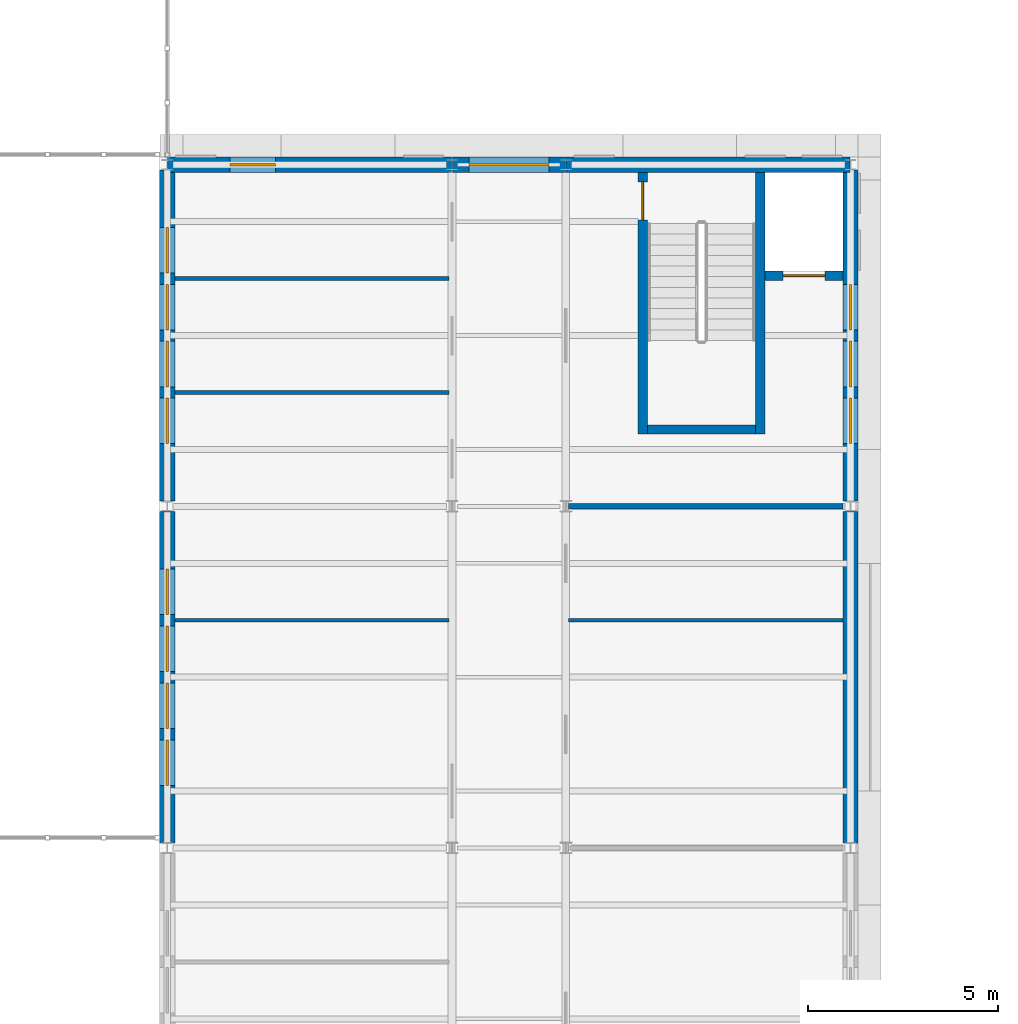
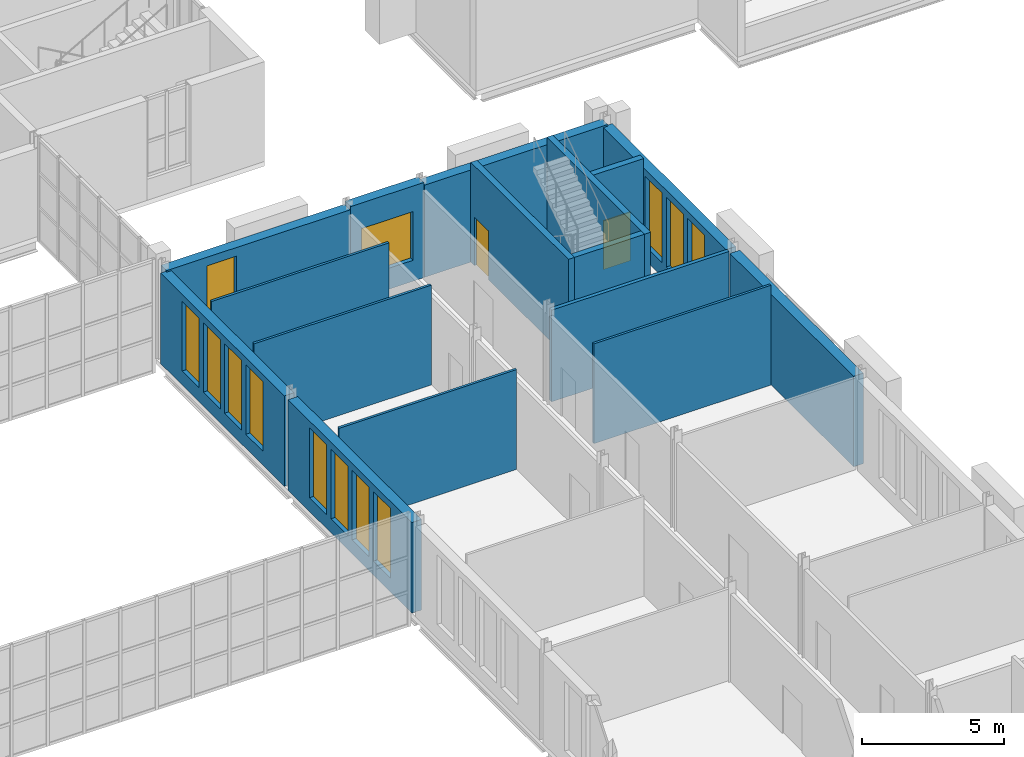
# One storey, part 78 of 134: 16 walls, 13 windows, 2 doors, 15 openings.
"""IFC4 building model written with IfcOpenShell, lengths in metres."""

import ifcopenshell
import ifcopenshell.guid

model = None  # the IFC model being written
_history = None  # IfcOwnerHistory: only IFC2X3 demands one
_inside = {}  # id of a spatial element -> (the spatial element, [elements in it])
_under = {}  # id of a project, library or spatial element -> (it, [spatial elements below it])
_declared = {}  # id of a project -> (the project, [libraries it declares])
_typed = {}  # id of a type object -> (the type object, [elements of that type])
_made_of = {}  # id of a material, layer set ... -> (it, [elements and type objects made of it])


def new_model(schema):
    """Start an empty IFC model of exactly this schema.

    Asked for "IFC4X3", IfcOpenShell would pick the latest addendum, in which some entities
    have other attributes; the version numbers below select the first issue.
    IFC2X3 requires an IfcOwnerHistory on every rooted entity: one is made here for all.
    """
    global model, _history
    if schema == "IFC4X3":
        model = ifcopenshell.file(schema_version=(4, 3, 0, 0))
    else:
        model = ifcopenshell.file(schema=schema)
    _inside.clear()
    _under.clear()
    _declared.clear()
    _typed.clear()
    _made_of.clear()
    _history = None
    if model.schema == "IFC2X3":
        org = make("IfcOrganization", Name="unknown")
        user = make(
            "IfcPersonAndOrganization",
            ThePerson=make("IfcPerson", FamilyName="unknown"),
            TheOrganization=org,
        )
        app = make(
            "IfcApplication",
            ApplicationDeveloper=org,
            Version="unknown",
            ApplicationFullName="unknown",
            ApplicationIdentifier="unknown",
        )
        _history = make(
            "IfcOwnerHistory",
            OwningUser=user,
            OwningApplication=app,
            ChangeAction="ADDED",
            CreationDate=0,
        )
    return model


def make(cls, **values):
    """One entity of the class cls with the attributes given. An attribute that is None is left unset."""
    return model.create_entity(
        cls, **{name: value for name, value in values.items() if value is not None}
    )


def rooted(cls, **values):
    """An entity with a GlobalId (a new one), such as an element, a storey or a relation."""
    return make(cls, GlobalId=ifcopenshell.guid.new(), OwnerHistory=_history, **values)


def si_unit(unit_type, name, prefix=None):
    """IfcSIUnit, for example si_unit("LENGTHUNIT", "METRE", prefix="MILLI")."""
    return make("IfcSIUnit", UnitType=unit_type, Prefix=prefix, Name=name)


def assignment(units):
    """IfcUnitAssignment: the units of a project."""
    return None if units is None else make("IfcUnitAssignment", Units=units)


def point(xyz):
    """IfcCartesianPoint."""
    return None if xyz is None else make("IfcCartesianPoint", Coordinates=xyz)


def direction(xyz):
    """IfcDirection."""
    return None if xyz is None else make("IfcDirection", DirectionRatios=xyz)


def frame(location, z_axis=None, x_axis=None):
    """IfcAxis2Placement3D, a coordinate frame: its origin and axes. An axis left out is left unset."""
    return make(
        "IfcAxis2Placement3D",
        Location=point(location),
        Axis=direction(z_axis),
        RefDirection=direction(x_axis),
    )


def frame_2d(location, x_axis=None):
    """IfcAxis2Placement2D, a coordinate frame in the plane: its origin and x axis."""
    return make(
        "IfcAxis2Placement2D", Location=point(location), RefDirection=direction(x_axis)
    )


def origin():
    """The frame at (0, 0, 0) with its axes left unset."""
    return frame((0.0, 0.0, 0.0))


def place(relative_to, where):
    """IfcLocalPlacement: puts the frame where relative to a parent placement (None: the world)."""
    return make(
        "IfcLocalPlacement", PlacementRelTo=relative_to, RelativePlacement=where
    )


def context(
    kind, dimensions, precision=None, world=None, true_north=None, identifier=None
):
    """IfcGeometricRepresentationContext, for example the 3D "Model" context."""
    return make(
        "IfcGeometricRepresentationContext",
        ContextIdentifier=identifier,
        ContextType=kind,
        CoordinateSpaceDimension=dimensions,
        Precision=precision,
        WorldCoordinateSystem=world,
        TrueNorth=true_north,
    )


def subcontext(parent, identifier, kind, view, scale=None):
    """IfcGeometricRepresentationSubContext, for example "Body" below "Model"."""
    return make(
        "IfcGeometricRepresentationSubContext",
        ContextIdentifier=identifier,
        ContextType=kind,
        ParentContext=parent,
        TargetScale=scale,
        TargetView=view,
    )


def project(units=None, contexts=None):
    """IfcProject with its units and contexts."""
    return rooted(
        "IfcProject",
        Name="project",
        RepresentationContexts=contexts,
        UnitsInContext=assignment(units),
    )


def spatial(cls, under=None, at=None, **own):
    """A site, building, storey or space (cls), placed at a placement, below another one or the project."""
    s = rooted(cls, ObjectPlacement=at, **own)
    if under is not None:
        _under.setdefault(under.id(), (under, []))[1].append(s)
    return s


def profile(cls, at=None, kind="AREA", **sizes):
    """A parametric profile (cls). Its sizes go by their IFC names, for example OverallWidth=200.0."""
    return make(cls, ProfileType=kind, Position=at, **sizes)


def rectangle(**sizes):
    """IfcRectangleProfileDef."""
    return profile("IfcRectangleProfileDef", **sizes)


def extrude(swept, where, along, depth):
    """IfcExtrudedAreaSolid: the profile swept, set in the frame where, extruded along a direction by depth."""
    return make(
        "IfcExtrudedAreaSolid",
        SweptArea=swept,
        Position=where,
        ExtrudedDirection=direction(along),
        Depth=depth,
    )


def shape(context_of_items, identifier, shape_type, items):
    """IfcShapeRepresentation: the items that make up one representation, for example the "Body"."""
    return make(
        "IfcShapeRepresentation",
        ContextOfItems=context_of_items,
        RepresentationIdentifier=identifier,
        RepresentationType=shape_type,
        Items=items,
    )


def material(Name=None, Category=None):
    """IfcMaterial."""
    return make("IfcMaterial", Name=Name, Category=Category)


def layer(
    of_material, thickness, ventilated=None, Name=None, Category=None, Priority=None
):
    """IfcMaterialLayer: one layer of a wall or slab, of a material (None: an air gap)."""
    return make(
        "IfcMaterialLayer",
        Material=of_material,
        LayerThickness=thickness,
        IsVentilated=ventilated,
        Name=Name,
        Category=Category,
        Priority=Priority,
    )


def layer_set(layers, Name=None):
    """IfcMaterialLayerSet."""
    return make("IfcMaterialLayerSet", MaterialLayers=layers, LayerSetName=Name)


def made_of(thing, what):
    """Note that an element or type object is made of a material, layer set ...; save() writes the relation."""
    if what is not None:
        _made_of.setdefault(what.id(), (what, []))[1].append(thing)
    return thing


def type_object(cls, material=None, **own):
    """A type object (cls), such as IfcWallType, which elements share."""
    return made_of(rooted(cls, **own), material)


def element(
    cls,
    number,
    at=None,
    inside=None,
    cuts=None,
    type_object=None,
    material=None,
    context=None,
    identifier="Body",
    shape_type=None,
    held_by="IfcProductDefinitionShape",
    body=None,
    shapes=None,
    **own,
):
    """One element of the class cls, such as IfcWall. Its Tag is "e" and its number.

    at: its placement. inside: the storey or other place that contains it. cuts: it is an
    opening in that element (IfcRelVoidsElement). A single representation is given by context,
    identifier, shape_type and body (its items); several are given by shapes. held_by: the class
    of the entity that holds the representations. save() writes the other relations.
    """
    e = rooted(cls, Tag="e%d" % number, ObjectPlacement=at, **own)
    if body is not None:
        shapes = [shape(context, identifier, shape_type, body)]
    if shapes is not None:
        e.Representation = make(held_by, Representations=shapes)
    if inside is not None:
        _inside.setdefault(inside.id(), (inside, []))[1].append(e)
    if cuts is not None:
        rooted(
            "IfcRelVoidsElement", RelatingBuildingElement=cuts, RelatedOpeningElement=e
        )
    if type_object is not None:
        _typed.setdefault(type_object.id(), (type_object, []))[1].append(e)
    return made_of(e, material)


def fill(opening, filler):
    """IfcRelFillsElement: the door or window that sits in an opening."""
    return rooted(
        "IfcRelFillsElement",
        RelatingOpeningElement=opening,
        RelatedBuildingElement=filler,
    )


def aggregate(whole, parts):
    """IfcRelAggregates: a whole, such as a stair, and the parts it consists of."""
    return rooted("IfcRelAggregates", RelatingObject=whole, RelatedObjects=parts)


def save(model, path):
    """Write the relations noted so far, then the file.

    IfcRelAggregates (storeys below a building ...), IfcRelContainedInSpatialStructure (elements
    in a storey), IfcRelDefinesByType, IfcRelAssociatesMaterial and IfcRelDeclares: one each for
    every whole, place, type object, material and project.
    """
    for whole, parts in _under.values():
        aggregate(whole, parts)
    for where, things in _inside.values():
        rooted(
            "IfcRelContainedInSpatialStructure",
            RelatedElements=things,
            RelatingStructure=where,
        )
    for kind, things in _typed.values():
        rooted("IfcRelDefinesByType", RelatedObjects=things, RelatingType=kind)
    for what, things in _made_of.values():
        rooted("IfcRelAssociatesMaterial", RelatedObjects=things, RelatingMaterial=what)
    for by, libraries in _declared.values():
        rooted("IfcRelDeclares", RelatingContext=by, RelatedDefinitions=libraries)
    model.write(path)


model = new_model("IFC4")

# Units and contexts
model_context = context("Model", 3, precision=1e-05, world=origin(), true_north=direction((0.0, 1.0)))
body_context = subcontext(model_context, "Body", "Model", "MODEL_VIEW")
ifc_project = project(units=[si_unit("LENGTHUNIT", "METRE"), si_unit("AREAUNIT", "SQUARE_METRE"), si_unit("VOLUMEUNIT", "CUBIC_METRE"), si_unit("PLANEANGLEUNIT", "RADIAN"), si_unit("MASSUNIT", "GRAM", prefix="KILO")], contexts=[model_context])

# Site, building, storey
site_placement = place(None, origin())
site = spatial("IfcSite", under=ifc_project, at=site_placement, CompositionType="ELEMENT")
building_placement = place(site_placement, origin())
building = spatial("IfcBuilding", under=site, at=building_placement, Name="Golden Quay Civic Hall", CompositionType="ELEMENT")
storey_placement = place(building_placement, frame((0.0, 0.0, 5.39990234375)))
storey = spatial("IfcBuildingStorey", under=building, at=storey_placement, Name="L01", CompositionType="ELEMENT", Elevation=5.39990234375)

# Wall
ifc_material_1 = material(Name="Concrete C40/50", Category="concrete")
ifc_layer_1 = layer(ifc_material_1, 0.25)
ifc_layer_set_1 = layer_set([ifc_layer_1], Name="Concrete core wall 250, Concrete C40/50")
wall_type_1 = type_object("IfcWallType", Name="Concrete core wall 250", PredefinedType="SHEAR", material=ifc_layer_set_1)
wall_1_placement = place(storey_placement, frame((114.625, 46.89990234375, 0.0), z_axis=(0.0, 0.0, 1.0), x_axis=(0.0, 1.0, 0.0)))
element("IfcWall", 1, at=wall_1_placement, inside=storey, type_object=wall_type_1, Name="Core wall EM-N-W1", PredefinedType="SHEAR", context=body_context, shape_type="SweptSolid", body=[
    extrude(rectangle(XDim=6.900146484375, YDim=0.25, at=frame_2d((3.4501953125, 0.0))), origin(), (0.0, 0.0, 1.0), 4.300048828125),
])

# Wall, opening, door
wall_2_placement = place(storey_placement, frame((111.52490234375, 46.89990234375, 0.0), z_axis=(0.0, 0.0, 1.0), x_axis=(0.0, 1.0, 0.0)))
wall_2 = element("IfcWall", 2, at=wall_2_placement, inside=storey, type_object=wall_type_1, Name="Core wall EM-N-W2", PredefinedType="SHEAR", context=body_context, shape_type="SweptSolid", body=[
    extrude(rectangle(XDim=6.900146484375, YDim=0.25, at=frame_2d((3.4501953125, 0.0))), origin(), (0.0, 0.0, 1.0), 4.300048828125),
])
opening_1_placement = place(wall_2_placement, frame((5.64990234375, 0.0, 0.0)))
opening_1 = element("IfcOpeningElement", 3, at=opening_1_placement, cuts=wall_2, Name="Opening L01-D127", PredefinedType="OPENING", context=body_context, shape_type="SweptSolid", body=[
    extrude(rectangle(XDim=1.0, YDim=2.10009765625, at=frame_2d((0.5, 1.050048828125))), frame((0.0, 0.135009765625, 0.0), z_axis=(0.0, -1.0, 0.0), x_axis=(1.0, 0.0, 0.0)), (0.0, 0.0, 1.0), 0.27001953125),
])
ifc_material_2 = material(Name="Steel", Category="steel")
door_type_1 = type_object("IfcDoorType", Name="Steel fire door FD60 1000 x 2100", OperationType="SINGLE_SWING_LEFT", PredefinedType="DOOR", material=ifc_material_2)
door_1_placement = place(opening_1_placement, frame((1.0, 0.0, 0.0), z_axis=(0.0, 0.0, 1.0), x_axis=(-1.0, 0.0, 0.0)))
door_1 = element("IfcDoor", 4, at=door_1_placement, inside=storey, type_object=door_type_1, Name="Door L01-D127", OperationType="SINGLE_SWING_RIGHT", OverallHeight=2.10009765625, OverallWidth=1.0, PredefinedType="DOOR", context=body_context, shape_type="SweptSolid", body=[
    extrude(rectangle(XDim=1.0, YDim=2.10009765625, at=frame_2d((0.5, 1.050048828125))), frame((0.0, 0.025146484375, 0.0), z_axis=(0.0, -1.0, 0.0), x_axis=(1.0, 0.0, 0.0)), (0.0, 0.0, 1.0), 0.050048828125),
])
fill(opening_1, door_1)

# Wall
wall_3_placement = place(storey_placement, frame((111.64990234375, 47.02490234375, 0.0), z_axis=(0.0, 0.0, 1.0), x_axis=(1.0, 0.0, 0.0)))
element("IfcWall", 5, at=wall_3_placement, inside=storey, type_object=wall_type_1, Name="Core wall EM-N-W3", PredefinedType="SHEAR", context=body_context, shape_type="SweptSolid", body=[
    extrude(rectangle(XDim=2.85009765625, YDim=0.25, at=frame_2d((1.425048828125, 0.0))), origin(), (0.0, 0.0, 1.0), 4.300048828125),
])

# Wall, opening, door
wall_4_placement = place(storey_placement, frame((114.75, 51.074951171875, 0.0), z_axis=(0.0, 0.0, 1.0), x_axis=(1.0, 0.0, 0.0)))
wall_4 = element("IfcWall", 6, at=wall_4_placement, inside=storey, type_object=wall_type_1, Name="Core wall EM-N-W4", PredefinedType="SHEAR", context=body_context, shape_type="SweptSolid", body=[
    extrude(rectangle(XDim=2.050048828125, YDim=0.25, at=frame_2d((1.02490234375, 0.0))), origin(), (0.0, 0.0, 1.0), 4.300048828125),
])
opening_2_placement = place(wall_4_placement, frame((0.47509765625, 0.0, 0.0)))
opening_2 = element("IfcOpeningElement", 7, at=opening_2_placement, cuts=wall_4, Name="Opening L01-D130", PredefinedType="OPENING", context=body_context, shape_type="SweptSolid", body=[
    extrude(rectangle(XDim=1.10009765625, YDim=2.10009765625, at=frame_2d((0.550048828125, 1.050048828125))), frame((0.0, 0.135009765625, 0.0), z_axis=(0.0, -1.0, 0.0), x_axis=(1.0, 0.0, 0.0)), (0.0, 0.0, 1.0), 0.27001953125),
])
ifc_material_3 = material(Name="Steel", Category="steel")
door_type_2 = type_object("IfcDoorType", Name="Lift landing door 1100 x 2100", OperationType="SLIDING_TO_LEFT", PredefinedType="DOOR", material=ifc_material_3)
door_2_placement = place(opening_2_placement, origin())
door_2 = element("IfcDoor", 8, at=door_2_placement, inside=storey, type_object=door_type_2, Name="Lift landing door L01-D130 EM-N", OperationType="SLIDING_TO_LEFT", OverallHeight=2.10009765625, OverallWidth=1.10009765625, PredefinedType="DOOR", context=body_context, shape_type="SweptSolid", body=[
    extrude(rectangle(XDim=1.10009765625, YDim=2.10009765625, at=frame_2d((0.550048828125, 1.050048828125))), frame((0.0, 0.02490234375, 0.0), z_axis=(0.0, -1.0, 0.0), x_axis=(1.0, 0.0, 0.0)), (0.0, 0.0, 1.0), 0.050048828125),
])
fill(opening_2, door_2)

# Walls
ifc_material_4 = material(Name="Plasterboard on steel studs", Category="steel")
ifc_layer_2 = layer(ifc_material_4, 0.10009765625)
ifc_layer_set_2 = layer_set([ifc_layer_2], Name="Partition 100 stud")
wall_type_2 = type_object("IfcWallType", Name="Partition 100 stud", PredefinedType="PARTITIONING", material=ifc_layer_set_2)
for number, where, z_axis, x_axis, name in (
    (9, (109.574951171875, 42.0, 0.0), (0.0, 0.0, 1.0), (1.0, 0.0, 0.0), "Partition L01-004"),
    (10, (99.199951171875, 42.0, 0.0), (0.0, 0.0, 1.0), (1.0, 0.0, 0.0), "Partition L01-010"),
    (11, (99.199951171875, 48.0, 0.0), (0.0, 0.0, 1.0), (1.0, 0.0, 0.0), "Partition L01-011"),
    (12, (99.199951171875, 51.0, 0.0), (0.0, 0.0, 1.0), (1.0, 0.0, 0.0), "Partition L01-012"),
):
    element("IfcWall", number, at=place(storey_placement, frame(where, z_axis=z_axis, x_axis=x_axis)), inside=storey, type_object=wall_type_2, Name=name, PredefinedType="PARTITIONING", context=body_context, shape_type="SweptSolid", body=[
        extrude(rectangle(XDim=7.22509765625, YDim=0.10009765625, at=frame_2d((3.612548828125, 0.0))), origin(), (0.0, 0.0, 1.0), 4.300048828125),
    ])
ifc_material_5 = material(Name="Plasterboard on steel studs", Category="steel")
ifc_layer_3 = layer(ifc_material_5, 0.14990234375)
ifc_layer_set_3 = layer_set([ifc_layer_3], Name="Partition 150 stud fire EI 60")
wall_type_3 = type_object("IfcWallType", Name="Partition 150 stud fire EI 60", PredefinedType="PARTITIONING", material=ifc_layer_set_3)
wall_5_placement = place(storey_placement, frame((109.574951171875, 45.0, 0.0), z_axis=(0.0, 0.0, 1.0), x_axis=(1.0, 0.0, 0.0)))
element("IfcWall", 13, at=wall_5_placement, inside=storey, type_object=wall_type_3, Name="Partition L01-005", PredefinedType="PARTITIONING", context=body_context, shape_type="SweptSolid", body=[
    extrude(rectangle(XDim=7.22509765625, YDim=0.14990234375, at=frame_2d((3.612548828125, 0.0))), origin(), (0.0, 0.0, 1.0), 3.9501953125),
])

# Wall, openings, windows
ifc_material_6 = material(Name="Clay block, rendered, cream")
ifc_layer_4 = layer(ifc_material_6, 0.39990234375)
ifc_layer_set_4 = layer_set([ifc_layer_4], Name="Rendered block external wall 400")
wall_type_4 = type_object("IfcWallType", Name="Rendered block external wall 400", PredefinedType="STANDARD", material=ifc_layer_set_4)
wall_6_placement = place(storey_placement, frame((99.0, 36.135009765625, 0.0), z_axis=(0.0, 0.0, 1.0), x_axis=(0.0, 1.0, 0.0)))
wall_6 = element("IfcWall", 14, at=wall_6_placement, inside=storey, type_object=wall_type_4, Name="Rendered block external wall 400 L01 39", PredefinedType="STANDARD", context=body_context, shape_type="SweptSolid", body=[
    extrude(rectangle(XDim=8.72998046875, YDim=0.39990234375, at=frame_2d((4.364990234375, 0.0))), origin(), (0.0, 0.0, 1.0), 3.900146484375),
])
opening_3_placement = place(wall_6_placement, frame((1.514892578125, 0.0, 0.60009765625)))
opening_3 = element("IfcOpeningElement", 15, at=opening_3_placement, cuts=wall_6, Name="Opening WN5", PredefinedType="OPENING", context=body_context, shape_type="SweptSolid", body=[
    extrude(rectangle(XDim=1.199951171875, YDim=3.0, at=frame_2d((0.60009765625, 1.5))), frame((0.0, 0.2099609375, 0.0), z_axis=(0.0, -1.0, 0.0), x_axis=(1.0, 0.0, 0.0)), (0.0, 0.0, 1.0), 0.419921875),
])
opening_4_placement = place(wall_6_placement, frame((3.014892578125, 0.0, 0.60009765625)))
opening_4 = element("IfcOpeningElement", 16, at=opening_4_placement, cuts=wall_6, Name="Opening WN5", PredefinedType="OPENING", context=body_context, shape_type="SweptSolid", body=[
    extrude(rectangle(XDim=1.199951171875, YDim=3.0, at=frame_2d((0.60009765625, 1.5))), frame((0.0, 0.2099609375, 0.0), z_axis=(0.0, -1.0, 0.0), x_axis=(1.0, 0.0, 0.0)), (0.0, 0.0, 1.0), 0.419921875),
])
opening_5_placement = place(wall_6_placement, frame((4.514892578125, 0.0, 0.60009765625)))
opening_5 = element("IfcOpeningElement", 17, at=opening_5_placement, cuts=wall_6, Name="Opening WN5", PredefinedType="OPENING", context=body_context, shape_type="SweptSolid", body=[
    extrude(rectangle(XDim=1.199951171875, YDim=3.0, at=frame_2d((0.60009765625, 1.5))), frame((0.0, 0.2099609375, 0.0), z_axis=(0.0, -1.0, 0.0), x_axis=(1.0, 0.0, 0.0)), (0.0, 0.0, 1.0), 0.419921875),
])
opening_6_placement = place(wall_6_placement, frame((6.014892578125, 0.0, 0.60009765625)))
opening_6 = element("IfcOpeningElement", 18, at=opening_6_placement, cuts=wall_6, Name="Opening WN5", PredefinedType="OPENING", context=body_context, shape_type="SweptSolid", body=[
    extrude(rectangle(XDim=1.199951171875, YDim=3.0, at=frame_2d((0.60009765625, 1.5))), frame((0.0, 0.2099609375, 0.0), z_axis=(0.0, -1.0, 0.0), x_axis=(1.0, 0.0, 0.0)), (0.0, 0.0, 1.0), 0.419921875),
])
ifc_material_7 = material(Name="Aluminium frame, double glazed", Category="aluminium")
window_type_1 = type_object("IfcWindowType", Name="Golden grid window 1200 x 3000", PartitioningType="SINGLE_PANEL", PredefinedType="WINDOW", material=ifc_material_7)
window_1_placement = place(opening_3_placement, origin())
window_1 = element("IfcWindow", 19, at=window_1_placement, inside=storey, type_object=window_type_1, Name="Golden grid window 1200 x 3000 L01 86", OverallHeight=3.0, OverallWidth=1.199951171875, PartitioningType="SINGLE_PANEL", PredefinedType="WINDOW", context=body_context, shape_type="SweptSolid", body=[
    extrude(rectangle(XDim=1.199951171875, YDim=3.0, at=frame_2d((0.60009765625, 1.5))), frame((0.0, 0.030029296875, 0.0), z_axis=(0.0, -1.0, 0.0), x_axis=(1.0, 0.0, 0.0)), (0.0, 0.0, 1.0), 0.06005859375),
])
fill(opening_3, window_1)
window_2_placement = place(opening_4_placement, origin())
window_2 = element("IfcWindow", 20, at=window_2_placement, inside=storey, type_object=window_type_1, Name="Golden grid window 1200 x 3000 L01 87", OverallHeight=3.0, OverallWidth=1.199951171875, PartitioningType="SINGLE_PANEL", PredefinedType="WINDOW", context=body_context, shape_type="SweptSolid", body=[
    extrude(rectangle(XDim=1.199951171875, YDim=3.0, at=frame_2d((0.60009765625, 1.5))), frame((0.0, 0.030029296875, 0.0), z_axis=(0.0, -1.0, 0.0), x_axis=(1.0, 0.0, 0.0)), (0.0, 0.0, 1.0), 0.06005859375),
])
fill(opening_4, window_2)
window_3_placement = place(opening_5_placement, origin())
window_3 = element("IfcWindow", 21, at=window_3_placement, inside=storey, type_object=window_type_1, Name="Golden grid window 1200 x 3000 L01 88", OverallHeight=3.0, OverallWidth=1.199951171875, PartitioningType="SINGLE_PANEL", PredefinedType="WINDOW", context=body_context, shape_type="SweptSolid", body=[
    extrude(rectangle(XDim=1.199951171875, YDim=3.0, at=frame_2d((0.60009765625, 1.5))), frame((0.0, 0.030029296875, 0.0), z_axis=(0.0, -1.0, 0.0), x_axis=(1.0, 0.0, 0.0)), (0.0, 0.0, 1.0), 0.06005859375),
])
fill(opening_5, window_3)
window_4_placement = place(opening_6_placement, origin())
window_4 = element("IfcWindow", 22, at=window_4_placement, inside=storey, type_object=window_type_1, Name="Golden grid window 1200 x 3000 L01 89", OverallHeight=3.0, OverallWidth=1.199951171875, PartitioningType="SINGLE_PANEL", PredefinedType="WINDOW", context=body_context, shape_type="SweptSolid", body=[
    extrude(rectangle(XDim=1.199951171875, YDim=3.0, at=frame_2d((0.60009765625, 1.5))), frame((0.0, 0.030029296875, 0.0), z_axis=(0.0, -1.0, 0.0), x_axis=(1.0, 0.0, 0.0)), (0.0, 0.0, 1.0), 0.06005859375),
])
fill(opening_6, window_4)

wall_7_placement = place(storey_placement, frame((99.0, 45.135009765625, 0.0), z_axis=(0.0, 0.0, 1.0), x_axis=(0.0, 1.0, 0.0)))
wall_7 = element("IfcWall", 23, at=wall_7_placement, inside=storey, type_object=wall_type_4, Name="Rendered block external wall 400 L01 40", PredefinedType="STANDARD", context=body_context, shape_type="SweptSolid", body=[
    extrude(rectangle(XDim=8.72998046875, YDim=0.39990234375, at=frame_2d((4.364990234375, 0.0))), origin(), (0.0, 0.0, 1.0), 3.900146484375),
])
opening_7_placement = place(wall_7_placement, frame((1.514892578125, 0.0, 0.60009765625)))
opening_7 = element("IfcOpeningElement", 24, at=opening_7_placement, cuts=wall_7, Name="Opening WN5", PredefinedType="OPENING", context=body_context, shape_type="SweptSolid", body=[
    extrude(rectangle(XDim=1.199951171875, YDim=3.0, at=frame_2d((0.60009765625, 1.5))), frame((0.0, 0.2099609375, 0.0), z_axis=(0.0, -1.0, 0.0), x_axis=(1.0, 0.0, 0.0)), (0.0, 0.0, 1.0), 0.419921875),
])
opening_8_placement = place(wall_7_placement, frame((3.014892578125, 0.0, 0.60009765625)))
opening_8 = element("IfcOpeningElement", 25, at=opening_8_placement, cuts=wall_7, Name="Opening WN5", PredefinedType="OPENING", context=body_context, shape_type="SweptSolid", body=[
    extrude(rectangle(XDim=1.199951171875, YDim=3.0, at=frame_2d((0.60009765625, 1.5))), frame((0.0, 0.2099609375, 0.0), z_axis=(0.0, -1.0, 0.0), x_axis=(1.0, 0.0, 0.0)), (0.0, 0.0, 1.0), 0.419921875),
])
opening_9_placement = place(wall_7_placement, frame((4.514892578125, 0.0, 0.60009765625)))
opening_9 = element("IfcOpeningElement", 26, at=opening_9_placement, cuts=wall_7, Name="Opening WN5", PredefinedType="OPENING", context=body_context, shape_type="SweptSolid", body=[
    extrude(rectangle(XDim=1.199951171875, YDim=3.0, at=frame_2d((0.60009765625, 1.5))), frame((0.0, 0.2099609375, 0.0), z_axis=(0.0, -1.0, 0.0), x_axis=(1.0, 0.0, 0.0)), (0.0, 0.0, 1.0), 0.419921875),
])
opening_10_placement = place(wall_7_placement, frame((6.014892578125, 0.0, 0.60009765625)))
opening_10 = element("IfcOpeningElement", 27, at=opening_10_placement, cuts=wall_7, Name="Opening WN5", PredefinedType="OPENING", context=body_context, shape_type="SweptSolid", body=[
    extrude(rectangle(XDim=1.199951171875, YDim=3.0, at=frame_2d((0.60009765625, 1.5))), frame((0.0, 0.2099609375, 0.0), z_axis=(0.0, -1.0, 0.0), x_axis=(1.0, 0.0, 0.0)), (0.0, 0.0, 1.0), 0.419921875),
])
window_5_placement = place(opening_7_placement, origin())
window_5 = element("IfcWindow", 28, at=window_5_placement, inside=storey, type_object=window_type_1, Name="Golden grid window 1200 x 3000 L01 90", OverallHeight=3.0, OverallWidth=1.199951171875, PartitioningType="SINGLE_PANEL", PredefinedType="WINDOW", context=body_context, shape_type="SweptSolid", body=[
    extrude(rectangle(XDim=1.199951171875, YDim=3.0, at=frame_2d((0.60009765625, 1.5))), frame((0.0, 0.030029296875, 0.0), z_axis=(0.0, -1.0, 0.0), x_axis=(1.0, 0.0, 0.0)), (0.0, 0.0, 1.0), 0.06005859375),
])
fill(opening_7, window_5)
window_6_placement = place(opening_8_placement, origin())
window_6 = element("IfcWindow", 29, at=window_6_placement, inside=storey, type_object=window_type_1, Name="Golden grid window 1200 x 3000 L01 91", OverallHeight=3.0, OverallWidth=1.199951171875, PartitioningType="SINGLE_PANEL", PredefinedType="WINDOW", context=body_context, shape_type="SweptSolid", body=[
    extrude(rectangle(XDim=1.199951171875, YDim=3.0, at=frame_2d((0.60009765625, 1.5))), frame((0.0, 0.030029296875, 0.0), z_axis=(0.0, -1.0, 0.0), x_axis=(1.0, 0.0, 0.0)), (0.0, 0.0, 1.0), 0.06005859375),
])
fill(opening_8, window_6)
window_7_placement = place(opening_9_placement, origin())
window_7 = element("IfcWindow", 30, at=window_7_placement, inside=storey, type_object=window_type_1, Name="Golden grid window 1200 x 3000 L01 92", OverallHeight=3.0, OverallWidth=1.199951171875, PartitioningType="SINGLE_PANEL", PredefinedType="WINDOW", context=body_context, shape_type="SweptSolid", body=[
    extrude(rectangle(XDim=1.199951171875, YDim=3.0, at=frame_2d((0.60009765625, 1.5))), frame((0.0, 0.030029296875, 0.0), z_axis=(0.0, -1.0, 0.0), x_axis=(1.0, 0.0, 0.0)), (0.0, 0.0, 1.0), 0.06005859375),
])
fill(opening_9, window_7)
window_8_placement = place(opening_10_placement, origin())
window_8 = element("IfcWindow", 31, at=window_8_placement, inside=storey, type_object=window_type_1, Name="Golden grid window 1200 x 3000 L01 93", OverallHeight=3.0, OverallWidth=1.199951171875, PartitioningType="SINGLE_PANEL", PredefinedType="WINDOW", context=body_context, shape_type="SweptSolid", body=[
    extrude(rectangle(XDim=1.199951171875, YDim=3.0, at=frame_2d((0.60009765625, 1.5))), frame((0.0, 0.030029296875, 0.0), z_axis=(0.0, -1.0, 0.0), x_axis=(1.0, 0.0, 0.0)), (0.0, 0.0, 1.0), 0.06005859375),
])
fill(opening_10, window_8)

# Wall, opening, window
wall_8_placement = place(storey_placement, frame((99.009033203125, 54.0, 0.0), z_axis=(0.0, 0.0, 1.0), x_axis=(1.0, 0.0, 0.0)))
wall_8 = element("IfcWall", 32, at=wall_8_placement, inside=storey, type_object=wall_type_4, Name="Rendered block external wall 400 L01 41", PredefinedType="STANDARD", context=body_context, shape_type="SweptSolid", body=[
    extrude(rectangle(XDim=7.48193359375, YDim=0.39990234375, at=frame_2d((3.740966796875, 0.0))), origin(), (0.0, 0.0, 1.0), 3.97021484375),
])
opening_11_placement = place(wall_8_placement, frame((1.64111328125, 0.0, 0.60009765625)))
opening_11 = element("IfcOpeningElement", 33, at=opening_11_placement, cuts=wall_8, Name="Opening WN5", PredefinedType="OPENING", context=body_context, shape_type="SweptSolid", body=[
    extrude(rectangle(XDim=1.199951171875, YDim=3.0, at=frame_2d((0.60009765625, 1.5))), frame((0.0, 0.2099609375, 0.0), z_axis=(0.0, -1.0, 0.0), x_axis=(1.0, 0.0, 0.0)), (0.0, 0.0, 1.0), 0.419921875),
])
window_9_placement = place(opening_11_placement, origin())
window_9 = element("IfcWindow", 34, at=window_9_placement, inside=storey, type_object=window_type_1, Name="Golden grid window 1200 x 3000 L01 94", OverallHeight=3.0, OverallWidth=1.199951171875, PartitioningType="SINGLE_PANEL", PredefinedType="WINDOW", context=body_context, shape_type="SweptSolid", body=[
    extrude(rectangle(XDim=1.199951171875, YDim=3.0, at=frame_2d((0.60009765625, 1.5))), frame((0.0, 0.030029296875, 0.0), z_axis=(0.0, -1.0, 0.0), x_axis=(1.0, 0.0, 0.0)), (0.0, 0.0, 1.0), 0.06005859375),
])
fill(opening_11, window_9)

wall_9_placement = place(storey_placement, frame((106.509033203125, 54.0, 0.0), z_axis=(0.0, 0.0, 1.0), x_axis=(1.0, 0.0, 0.0)))
wall_9 = element("IfcWall", 35, at=wall_9_placement, inside=storey, type_object=wall_type_4, Name="Rendered block external wall 400 L01 42", PredefinedType="STANDARD", context=body_context, shape_type="SweptSolid", body=[
    extrude(rectangle(XDim=2.98193359375, YDim=0.39990234375, at=frame_2d((1.490966796875, 0.0))), origin(), (0.0, 0.0, 1.0), 4.10009765625),
])
opening_12_placement = place(wall_9_placement, frame((0.44091796875, 0.0, 0.89990234375)))
opening_12 = element("IfcOpeningElement", 36, at=opening_12_placement, cuts=wall_9, Name="Opening WN2", PredefinedType="OPENING", context=body_context, shape_type="SweptSolid", body=[
    extrude(rectangle(XDim=2.10009765625, YDim=2.10009765625, at=frame_2d((1.050048828125, 1.050048828125))), frame((0.0, 0.2099609375, 0.0), z_axis=(0.0, -1.0, 0.0), x_axis=(1.0, 0.0, 0.0)), (0.0, 0.0, 1.0), 0.419921875),
])
ifc_material_8 = material(Name="Aluminium frame, double glazed", Category="aluminium")
window_type_2 = type_object("IfcWindowType", Name="Corridor end window 2100 x 2100", PartitioningType="SINGLE_PANEL", PredefinedType="WINDOW", material=ifc_material_8)
window_10_placement = place(opening_12_placement, origin())
window_10 = element("IfcWindow", 37, at=window_10_placement, inside=storey, type_object=window_type_2, Name="Corridor end window 2100 x 2100 L01 2", OverallHeight=2.10009765625, OverallWidth=2.10009765625, PartitioningType="SINGLE_PANEL", PredefinedType="WINDOW", context=body_context, shape_type="SweptSolid", body=[
    extrude(rectangle(XDim=2.10009765625, YDim=2.10009765625, at=frame_2d((1.050048828125, 1.050048828125))), frame((0.0, 0.030029296875, 0.0), z_axis=(0.0, -1.0, 0.0), x_axis=(1.0, 0.0, 0.0)), (0.0, 0.0, 1.0), 0.06005859375),
])
fill(opening_12, window_10)

# Walls
wall_10_placement = place(storey_placement, frame((117.0, 44.864990234375, 0.0), z_axis=(0.0, 0.0, 1.0), x_axis=(0.0, -1.0, 0.0)))
element("IfcWall", 38, at=wall_10_placement, inside=storey, type_object=wall_type_4, Name="Rendered block external wall 400 L01 46", PredefinedType="STANDARD", context=body_context, shape_type="SweptSolid", body=[
    extrude(rectangle(XDim=8.72998046875, YDim=0.39990234375, at=frame_2d((4.364990234375, 0.0))), origin(), (0.0, 0.0, 1.0), 3.900146484375),
])
ifc_material_9 = material(Name="Clay block, rendered, cream")
ifc_layer_5 = layer(ifc_material_9, 0.39990234375)
ifc_layer_set_5 = layer_set([ifc_layer_5], Name="Rendered block external wall 400 fire EI 60")
wall_type_5 = type_object("IfcWallType", Name="Rendered block external wall 400 fire EI 60", PredefinedType="STANDARD", material=ifc_layer_set_5)
wall_11_placement = place(storey_placement, frame((109.509033203125, 54.0, 0.0), z_axis=(0.0, 0.0, 1.0), x_axis=(1.0, 0.0, 0.0)))
element("IfcWall", 39, at=wall_11_placement, inside=storey, type_object=wall_type_5, Name="Rendered block external wall 400 fire EI 60 L01 7", PredefinedType="STANDARD", context=body_context, shape_type="SweptSolid", body=[
    extrude(rectangle(XDim=7.48193359375, YDim=0.39990234375, at=frame_2d((3.740966796875, 0.0))), origin(), (0.0, 0.0, 1.0), 3.97021484375),
])

# Wall, openings, windows
wall_12_placement = place(storey_placement, frame((117.0, 53.864990234375, 0.0), z_axis=(0.0, 0.0, 1.0), x_axis=(0.0, -1.0, 0.0)))
wall_12 = element("IfcWall", 40, at=wall_12_placement, inside=storey, type_object=wall_type_5, Name="Rendered block external wall 400 fire EI 60 L01 8", PredefinedType="STANDARD", context=body_context, shape_type="SweptSolid", body=[
    extrude(rectangle(XDim=8.72998046875, YDim=0.39990234375, at=frame_2d((4.364990234375, 0.0))), origin(), (0.0, 0.0, 1.0), 3.900146484375),
])
opening_13_placement = place(wall_12_placement, frame((6.014892578125, 0.0, 0.60009765625)))
opening_13 = element("IfcOpeningElement", 41, at=opening_13_placement, cuts=wall_12, Name="Opening WN5", PredefinedType="OPENING", context=body_context, shape_type="SweptSolid", body=[
    extrude(rectangle(XDim=1.199951171875, YDim=3.0, at=frame_2d((0.60009765625, 1.5))), frame((0.0, 0.2099609375, 0.0), z_axis=(0.0, -1.0, 0.0), x_axis=(1.0, 0.0, 0.0)), (0.0, 0.0, 1.0), 0.419921875),
])
opening_14_placement = place(wall_12_placement, frame((4.514892578125, 0.0, 0.60009765625)))
opening_14 = element("IfcOpeningElement", 42, at=opening_14_placement, cuts=wall_12, Name="Opening WN5", PredefinedType="OPENING", context=body_context, shape_type="SweptSolid", body=[
    extrude(rectangle(XDim=1.199951171875, YDim=3.0, at=frame_2d((0.60009765625, 1.5))), frame((0.0, 0.2099609375, 0.0), z_axis=(0.0, -1.0, 0.0), x_axis=(1.0, 0.0, 0.0)), (0.0, 0.0, 1.0), 0.419921875),
])
opening_15_placement = place(wall_12_placement, frame((3.014892578125, 0.0, 0.60009765625)))
opening_15 = element("IfcOpeningElement", 43, at=opening_15_placement, cuts=wall_12, Name="Opening WN5", PredefinedType="OPENING", context=body_context, shape_type="SweptSolid", body=[
    extrude(rectangle(XDim=1.199951171875, YDim=3.0, at=frame_2d((0.60009765625, 1.5))), frame((0.0, 0.2099609375, 0.0), z_axis=(0.0, -1.0, 0.0), x_axis=(1.0, 0.0, 0.0)), (0.0, 0.0, 1.0), 0.419921875),
])
window_11_placement = place(opening_13_placement, origin())
window_11 = element("IfcWindow", 44, at=window_11_placement, inside=storey, type_object=window_type_1, Name="Golden grid window 1200 x 3000 L01 103", OverallHeight=3.0, OverallWidth=1.199951171875, PartitioningType="SINGLE_PANEL", PredefinedType="WINDOW", context=body_context, shape_type="SweptSolid", body=[
    extrude(rectangle(XDim=1.199951171875, YDim=3.0, at=frame_2d((0.60009765625, 1.5))), frame((0.0, 0.030029296875, 0.0), z_axis=(0.0, -1.0, 0.0), x_axis=(1.0, 0.0, 0.0)), (0.0, 0.0, 1.0), 0.06005859375),
])
fill(opening_13, window_11)
window_12_placement = place(opening_14_placement, origin())
window_12 = element("IfcWindow", 45, at=window_12_placement, inside=storey, type_object=window_type_1, Name="Golden grid window 1200 x 3000 L01 104", OverallHeight=3.0, OverallWidth=1.199951171875, PartitioningType="SINGLE_PANEL", PredefinedType="WINDOW", context=body_context, shape_type="SweptSolid", body=[
    extrude(rectangle(XDim=1.199951171875, YDim=3.0, at=frame_2d((0.60009765625, 1.5))), frame((0.0, 0.030029296875, 0.0), z_axis=(0.0, -1.0, 0.0), x_axis=(1.0, 0.0, 0.0)), (0.0, 0.0, 1.0), 0.06005859375),
])
fill(opening_14, window_12)
window_13_placement = place(opening_15_placement, origin())
window_13 = element("IfcWindow", 46, at=window_13_placement, inside=storey, type_object=window_type_1, Name="Golden grid window 1200 x 3000 L01 105", OverallHeight=3.0, OverallWidth=1.199951171875, PartitioningType="SINGLE_PANEL", PredefinedType="WINDOW", context=body_context, shape_type="SweptSolid", body=[
    extrude(rectangle(XDim=1.199951171875, YDim=3.0, at=frame_2d((0.60009765625, 1.5))), frame((0.0, 0.030029296875, 0.0), z_axis=(0.0, -1.0, 0.0), x_axis=(1.0, 0.0, 0.0)), (0.0, 0.0, 1.0), 0.06005859375),
])
fill(opening_15, window_13)

save(model, "model.ifc")
